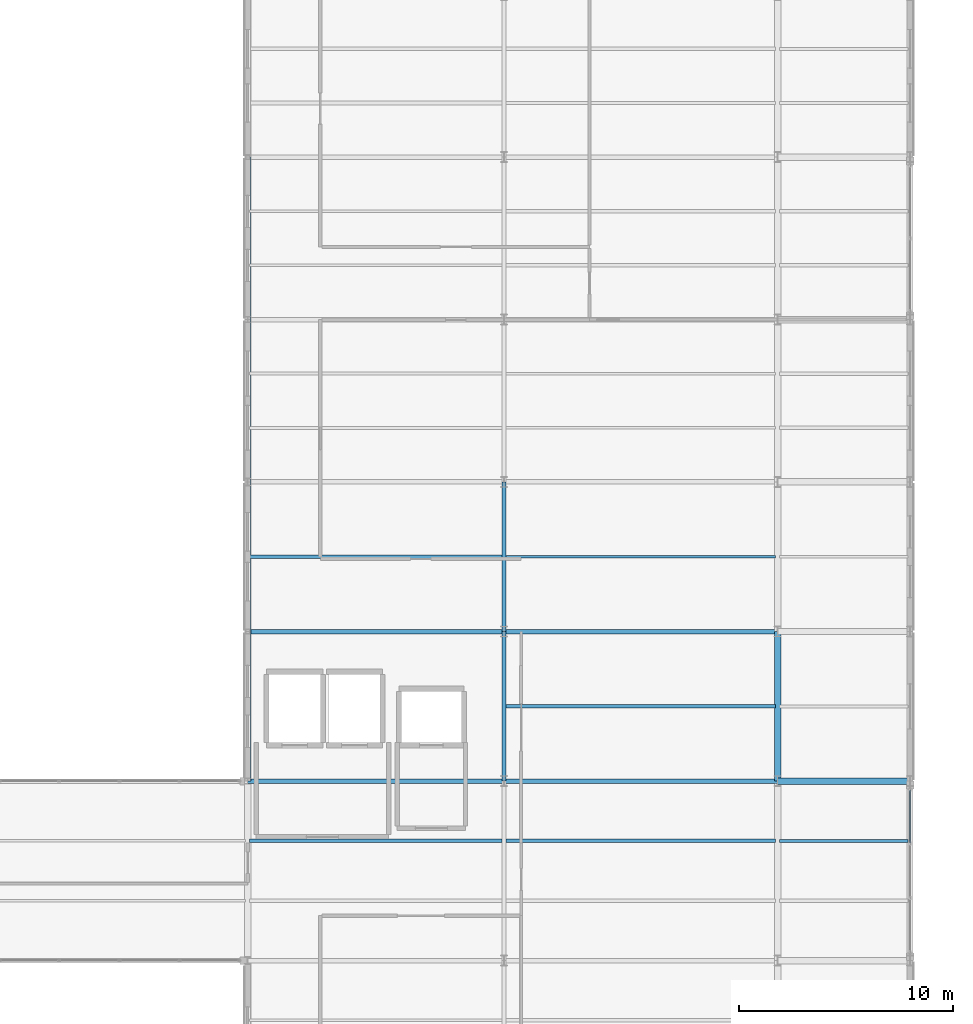
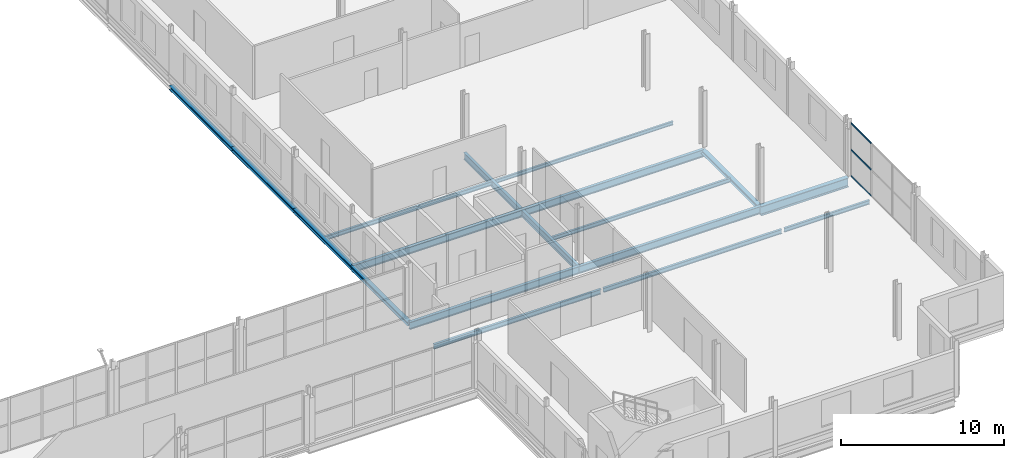
# One storey, part 63 of 101: 18 beams, 3 members, 1 element without a shape of its own.
"""IFC4 building model written with IfcOpenShell, lengths in metres."""

from ifc_helpers import new_model, si_unit, direction, frame, origin, origin_2d, place, context, subcontext, project, spatial, hollow_rectangle, i_section, extrude, material, layer, layer_set, material_profile, profile_set, type_object, element, aggregate, save


model = new_model("IFC4")

# Units and contexts
model_context = context("Model", 3, precision=1e-05, world=origin(), true_north=direction((0.0, 1.0)))
body_context = subcontext(model_context, "Body", "Model", "MODEL_VIEW")
ifc_project = project(units=[si_unit("LENGTHUNIT", "METRE"), si_unit("AREAUNIT", "SQUARE_METRE"), si_unit("VOLUMEUNIT", "CUBIC_METRE"), si_unit("PLANEANGLEUNIT", "RADIAN"), si_unit("MASSUNIT", "GRAM", prefix="KILO")], contexts=[model_context])

# Site, building, storey
site_placement = place(None, origin())
site = spatial("IfcSite", under=ifc_project, at=site_placement, CompositionType="ELEMENT")
building_placement = place(site_placement, origin())
building = spatial("IfcBuilding", under=site, at=building_placement, Name="Vekula Escarpment Museum", CompositionType="ELEMENT")
storey_placement = place(building_placement, frame((0.0, 0.0, 18.0)))
storey = spatial("IfcBuildingStorey", under=building, at=storey_placement, Name="L04", CompositionType="ELEMENT", Elevation=18.0)

# Beams
ifc_material_1 = material(Name="Steel S355", Category="steel")
ifc_material_profile_1 = material_profile(ifc_material_1, i_section(OverallWidth=0.300048828125, OverallDepth=0.699951171875, WebThickness=0.01708984375, FlangeThickness=0.031982421875, FilletRadius=0.027099609375, at=origin_2d()), Name="HEB 700")
ifc_profile_set_1 = profile_set([ifc_material_profile_1], Name="Steel S355")
beam_type_1 = type_object("IfcBeamType", Name="BM-GIRD-HEB700", PredefinedType="BEAM", material=ifc_profile_set_1)
beam_1_placement = place(storey_placement, frame((191.800048828125, 76.39990234375, -0.6298828125), z_axis=(1.0, 0.0, 0.0), x_axis=(0.0, 1.0, 0.0)))
element("IfcBeam", 1, at=beam_1_placement, inside=storey, type_object=beam_type_1, Name="Beam X L04 1762", PredefinedType="BEAM", context=body_context, shape_type="SweptSolid", body=[
    extrude(i_section(OverallWidth=0.300048828125, OverallDepth=0.699951171875, WebThickness=0.01708984375, FlangeThickness=0.031982421875, FilletRadius=0.027099609375, at=origin_2d()), origin(), (0.0, 0.0, 1.0), 6.199951171875),
])
ifc_material_2 = material(Name="Steel S355", Category="steel")
ifc_material_profile_2 = material_profile(ifc_material_2, i_section(OverallWidth=0.199951171875, OverallDepth=0.5, WebThickness=0.01025390625, FlangeThickness=0.01611328125, FilletRadius=0.02099609375, at=origin_2d()), Name="IPE 500")
ifc_profile_set_2 = profile_set([ifc_material_profile_2], Name="Steel S355")
beam_type_2 = type_object("IfcBeamType", Name="BM-GIRD-IPE500", PredefinedType="BEAM", material=ifc_profile_set_2)
for number, where, z_axis, x_axis, name in (
    (2, (179.0, 76.39990234375, -0.530029296875), (0.0, 1.0, 0.0), (-1.0, 0.0, 0.0), "Beam Y L04 1933"),
    (3, (179.0, 83.39990234375, -0.530029296875), (0.0, 1.0, 0.0), (-1.0, 0.0, 0.0), "Beam Y L04 1934"),
):
    element("IfcBeam", number, at=place(storey_placement, frame(where, z_axis=z_axis, x_axis=x_axis)), inside=storey, type_object=beam_type_2, Name=name, PredefinedType="BEAM", context=body_context, shape_type="SweptSolid", body=[
        extrude(i_section(OverallWidth=0.199951171875, OverallDepth=0.5, WebThickness=0.01025390625, FlangeThickness=0.01611328125, FilletRadius=0.02099609375, at=origin_2d()), origin(), (0.0, 0.0, 1.0), 7.0),
    ])
ifc_material_3 = material(Name="Steel S355", Category="steel")
ifc_material_profile_3 = material_profile(ifc_material_3, i_section(OverallWidth=0.2099609375, OverallDepth=0.550048828125, WebThickness=0.010986328125, FlangeThickness=0.01708984375, FilletRadius=0.02392578125, at=origin_2d()), Name="IPE 550")
ifc_profile_set_3 = profile_set([ifc_material_profile_3], Name="Steel S355")
beam_type_3 = type_object("IfcBeamType", Name="BM-GIRD-IPE550", PredefinedType="BEAM", material=ifc_profile_set_3)
beam_2_placement = place(storey_placement, frame((167.0, 76.39990234375, -0.554931640625), z_axis=(1.0, 0.0, 0.0), x_axis=(0.0, 1.0, 0.0)))
element("IfcBeam", 4, at=beam_2_placement, inside=storey, type_object=beam_type_3, Name="Beam X L04 1760", PredefinedType="BEAM", context=body_context, shape_type="SweptSolid", body=[
    extrude(i_section(OverallWidth=0.2099609375, OverallDepth=0.550048828125, WebThickness=0.010986328125, FlangeThickness=0.01708984375, FilletRadius=0.02392578125, at=origin_2d()), origin(), (0.0, 0.0, 1.0), 12.0),
])
beam_3_placement = place(storey_placement, frame((179.0, 76.39990234375, -0.554931640625), z_axis=(1.0, 0.0, 0.0), x_axis=(0.0, 1.0, 0.0)))
element("IfcBeam", 5, at=beam_3_placement, inside=storey, type_object=beam_type_3, Name="Beam X L04 1761", PredefinedType="BEAM", context=body_context, shape_type="SweptSolid", body=[
    extrude(i_section(OverallWidth=0.2099609375, OverallDepth=0.550048828125, WebThickness=0.010986328125, FlangeThickness=0.01708984375, FilletRadius=0.02392578125, at=origin_2d()), origin(), (0.0, 0.0, 1.0), 12.800048828125),
])
beam_4_placement = place(storey_placement, frame((167.0, 83.39990234375, -0.554931640625), z_axis=(1.0, 0.0, 0.0), x_axis=(0.0, 1.0, 0.0)))
element("IfcBeam", 6, at=beam_4_placement, inside=storey, type_object=beam_type_3, Name="Beam X L04 1778", PredefinedType="BEAM", context=body_context, shape_type="SweptSolid", body=[
    extrude(i_section(OverallWidth=0.2099609375, OverallDepth=0.550048828125, WebThickness=0.010986328125, FlangeThickness=0.01708984375, FilletRadius=0.02392578125, at=origin_2d()), origin(), (0.0, 0.0, 1.0), 12.0),
])
beam_5_placement = place(storey_placement, frame((179.0, 83.39990234375, -0.554931640625), z_axis=(1.0, 0.0, 0.0), x_axis=(0.0, 1.0, 0.0)))
element("IfcBeam", 7, at=beam_5_placement, inside=storey, type_object=beam_type_3, Name="Beam X L04 1779", PredefinedType="BEAM", context=body_context, shape_type="SweptSolid", body=[
    extrude(i_section(OverallWidth=0.2099609375, OverallDepth=0.550048828125, WebThickness=0.010986328125, FlangeThickness=0.01708984375, FilletRadius=0.02392578125, at=origin_2d()), origin(), (0.0, 0.0, 1.0), 12.800048828125),
])
ifc_material_4 = material(Name="Steel S355", Category="steel")
ifc_material_profile_4 = material_profile(ifc_material_4, i_section(OverallWidth=0.135009765625, OverallDepth=0.27001953125, WebThickness=0.006591796875, FlangeThickness=0.01025390625, FilletRadius=0.014892578125, at=origin_2d()), Name="IPE 270")
ifc_profile_set_4 = profile_set([ifc_material_profile_4], Name="Steel S355")
beam_type_4 = type_object("IfcBeamType", Name="BM-JST-IPE270", PredefinedType="JOIST", material=ifc_profile_set_4)
beam_6_placement = place(storey_placement, frame((179.090087890625, 86.89990234375, -0.4150390625), z_axis=(1.0, 0.0, 0.0), x_axis=(0.0, 1.0, 0.0)))
element("IfcBeam", 8, at=beam_6_placement, inside=storey, type_object=beam_type_4, Name="Secondary Joist L04 1265", PredefinedType="JOIST", context=body_context, shape_type="SweptSolid", body=[
    extrude(i_section(OverallWidth=0.135009765625, OverallDepth=0.27001953125, WebThickness=0.006591796875, FlangeThickness=0.01025390625, FilletRadius=0.014892578125, at=origin_2d()), origin(), (0.0, 0.0, 1.0), 12.619873046875),
])
ifc_material_5 = material(Name="Steel S355", Category="steel")
ifc_material_profile_5 = material_profile(ifc_material_5, i_section(OverallWidth=0.14990234375, OverallDepth=0.300048828125, WebThickness=0.007080078125, FlangeThickness=0.0107421875, FilletRadius=0.014892578125, at=origin_2d()), Name="IPE 300")
ifc_profile_set_5 = profile_set([ifc_material_profile_5], Name="Steel S355")
beam_type_5 = type_object("IfcBeamType", Name="BM-JST-IPE300", PredefinedType="JOIST", material=ifc_profile_set_5)
beam_7_placement = place(storey_placement, frame((167.090087890625, 86.89990234375, -0.429931640625), z_axis=(1.0, 0.0, 0.0), x_axis=(0.0, 1.0, 0.0)))
element("IfcBeam", 9, at=beam_7_placement, inside=storey, type_object=beam_type_5, Name="Secondary Joist L04 1250", PredefinedType="JOIST", context=body_context, shape_type="SweptSolid", body=[
    extrude(i_section(OverallWidth=0.14990234375, OverallDepth=0.300048828125, WebThickness=0.007080078125, FlangeThickness=0.0107421875, FilletRadius=0.014892578125, at=origin_2d()), origin(), (0.0, 0.0, 1.0), 11.81982421875),
])
beam_8_placement = place(storey_placement, frame((179.090087890625, 79.89990234375, -0.429931640625), z_axis=(1.0, 0.0, 0.0), x_axis=(0.0, 1.0, 0.0)))
element("IfcBeam", 10, at=beam_8_placement, inside=storey, type_object=beam_type_5, Name="Secondary Joist L04 1264", PredefinedType="JOIST", context=body_context, shape_type="SweptSolid", body=[
    extrude(i_section(OverallWidth=0.14990234375, OverallDepth=0.300048828125, WebThickness=0.007080078125, FlangeThickness=0.0107421875, FilletRadius=0.014892578125, at=origin_2d()), origin(), (0.0, 0.0, 1.0), 12.619873046875),
])
beam_9_placement = place(storey_placement, frame((191.889892578125, 73.60009765625, -0.429931640625), z_axis=(1.0, 0.0, 0.0), x_axis=(0.0, 1.0, 0.0)))
element("IfcBeam", 11, at=beam_9_placement, inside=storey, type_object=beam_type_5, Name="Secondary Joist L04 1279", PredefinedType="JOIST", context=body_context, shape_type="SweptSolid", body=[
    extrude(i_section(OverallWidth=0.14990234375, OverallDepth=0.300048828125, WebThickness=0.007080078125, FlangeThickness=0.0107421875, FilletRadius=0.014892578125, at=origin_2d()), origin(), (0.0, 0.0, 1.0), 6.02001953125),
])
ifc_material_6 = material(Name="Steel S355", Category="steel")
ifc_material_profile_6 = material_profile(ifc_material_6, i_section(OverallWidth=0.159912109375, OverallDepth=0.330078125, WebThickness=0.007568359375, FlangeThickness=0.011474609375, FilletRadius=0.01806640625, at=origin_2d()), Name="IPE 330")
ifc_profile_set_6 = profile_set([ifc_material_profile_6], Name="Steel S355")
beam_type_6 = type_object("IfcBeamType", Name="BM-JST-IPE330", PredefinedType="JOIST", material=ifc_profile_set_6)
beam_10_placement = place(storey_placement, frame((179.090087890625, 73.60009765625, -0.445068359375), z_axis=(1.0, 0.0, 0.0), x_axis=(0.0, 1.0, 0.0)))
element("IfcBeam", 12, at=beam_10_placement, inside=storey, type_object=beam_type_6, Name="Secondary Joist L04 1263", PredefinedType="JOIST", context=body_context, shape_type="SweptSolid", body=[
    extrude(i_section(OverallWidth=0.159912109375, OverallDepth=0.330078125, WebThickness=0.007568359375, FlangeThickness=0.011474609375, FilletRadius=0.01806640625, at=origin_2d()), origin(), (0.0, 0.0, 1.0), 12.619873046875),
])
ifc_material_7 = material(Name="Steel S355", Category="steel")
ifc_material_profile_7 = material_profile(ifc_material_7, i_section(OverallWidth=0.169921875, OverallDepth=0.360107421875, WebThickness=0.008056640625, FlangeThickness=0.0126953125, FilletRadius=0.01806640625, at=origin_2d()), Name="IPE 360")
ifc_profile_set_7 = profile_set([ifc_material_profile_7], Name="Steel S355")
beam_type_7 = type_object("IfcBeamType", Name="BM-JST-IPE360", PredefinedType="JOIST", material=ifc_profile_set_7)
beam_11_placement = place(storey_placement, frame((167.090087890625, 73.60009765625, -0.4599609375), z_axis=(1.0, 0.0, 0.0), x_axis=(0.0, 1.0, 0.0)))
element("IfcBeam", 13, at=beam_11_placement, inside=storey, type_object=beam_type_7, Name="Secondary Joist L04 1249", PredefinedType="JOIST", context=body_context, shape_type="SweptSolid", body=[
    extrude(i_section(OverallWidth=0.169921875, OverallDepth=0.360107421875, WebThickness=0.008056640625, FlangeThickness=0.0126953125, FilletRadius=0.01806640625, at=origin_2d()), origin(), (0.0, 0.0, 1.0), 11.81982421875),
])
ifc_material_8 = material(Name="Steel S355", Category="steel")
ifc_material_profile_8 = material_profile(ifc_material_8, i_section(OverallWidth=0.300048828125, OverallDepth=0.2900390625, WebThickness=0.008544921875, FlangeThickness=0.013916015625, FilletRadius=0.027099609375, at=origin_2d()), Name="HEA 300")
ifc_profile_set_8 = profile_set([ifc_material_profile_8], Name="Steel S355")
beam_type_8 = type_object("IfcBeamType", Name="BM-SPAN-HEA300", PredefinedType="SPANDREL", material=ifc_profile_set_8)
for number, where, z_axis, x_axis, name in (
    (14, (167.0, 76.39990234375, -0.425048828125), (0.0, 1.0, 0.0), (-1.0, 0.0, 0.0), "Beam Y L04 1923"),
    (15, (167.0, 83.39990234375, -0.425048828125), (0.0, 1.0, 0.0), (-1.0, 0.0, 0.0), "Beam Y L04 1924"),
):
    element("IfcBeam", number, at=place(storey_placement, frame(where, z_axis=z_axis, x_axis=x_axis)), inside=storey, type_object=beam_type_8, Name=name, PredefinedType="SPANDREL", context=body_context, shape_type="SweptSolid", body=[
        extrude(i_section(OverallWidth=0.300048828125, OverallDepth=0.2900390625, WebThickness=0.008544921875, FlangeThickness=0.013916015625, FilletRadius=0.027099609375, at=origin_2d()), origin(), (0.0, 0.0, 1.0), 7.0),
    ])
for number, where, z_axis, x_axis, name in (
    (16, (167.0, 90.39990234375, -0.425048828125), (0.0, 1.0, 0.0), (-1.0, 0.0, 0.0), "Beam Y L04 1925"),
    (17, (167.0, 98.0, -0.425048828125), (0.0, 1.0, 0.0), (-1.0, 0.0, 0.0), "Beam Y L04 1926"),
):
    element("IfcBeam", number, at=place(storey_placement, frame(where, z_axis=z_axis, x_axis=x_axis)), inside=storey, type_object=beam_type_8, Name=name, PredefinedType="SPANDREL", context=body_context, shape_type="SweptSolid", body=[
        extrude(i_section(OverallWidth=0.300048828125, OverallDepth=0.2900390625, WebThickness=0.008544921875, FlangeThickness=0.013916015625, FilletRadius=0.027099609375, at=origin_2d()), origin(), (0.0, 0.0, 1.0), 7.60009765625),
    ])
beam_12_placement = place(storey_placement, frame((191.800048828125, 76.39990234375, -0.425048828125), z_axis=(0.0, 1.0, 0.0), x_axis=(-1.0, 0.0, 0.0)))
element("IfcBeam", 18, at=beam_12_placement, inside=storey, type_object=beam_type_8, Name="Beam Y L04 1943", PredefinedType="SPANDREL", context=body_context, shape_type="SweptSolid", body=[
    extrude(i_section(OverallWidth=0.300048828125, OverallDepth=0.2900390625, WebThickness=0.008544921875, FlangeThickness=0.013916015625, FilletRadius=0.027099609375, at=origin_2d()), origin(), (0.0, 0.0, 1.0), 7.0),
])

# Curtain wall, members
ifc_material_9 = material(Name="Aluminium thermally broken framing", Category="aluminium")
ifc_layer = layer(ifc_material_9, 0.139892578125)
ifc_layer_set = layer_set([ifc_layer], Name="Aluminium thermally broken framing")
curtain_wall_type = type_object("IfcCurtainWallType", Name="CW-SYS-06", PredefinedType="NOTDEFINED", material=ifc_layer_set)
curtain_wall_placement = place(storey_placement, origin())
curtain_wall = element("IfcCurtainWall", 19, at=curtain_wall_placement, inside=storey, type_object=curtain_wall_type, Name="Curtain Wall CW-L04-146", PredefinedType="NOTDEFINED")
ifc_material_10 = material(Name="Aluminium anodized transom", Category="aluminium")
ifc_material_profile_9 = material_profile(ifc_material_10, hollow_rectangle(XDim=0.06005859375, YDim=0.1201171875, WallThickness=0.00390625, InnerFilletRadius=0.00390625, OuterFilletRadius=0.008056640625, at=origin_2d()), Name="ALU 120x60x4")
ifc_profile_set_9 = profile_set([ifc_material_profile_9], Name="Aluminium anodized transom")
member_type = type_object("IfcMemberType", Name="CW-TRN-120", PredefinedType="USERDEFINED", material=ifc_profile_set_9)
member_1_placement = place(storey_placement, frame((198.0, 73.510009765625, 0.030029296875), z_axis=(0.0, 1.0, 0.0), x_axis=(-1.0, 0.0, 0.0)))
member_1 = element("IfcMember", 20, at=member_1_placement, type_object=member_type, Name="CW-06 transom 3.1", ObjectType="TRANSOM", PredefinedType="USERDEFINED", context=body_context, shape_type="SweptSolid", body=[
    extrude(hollow_rectangle(XDim=0.06005859375, YDim=0.1201171875, WallThickness=0.00390625, InnerFilletRadius=0.00390625, OuterFilletRadius=0.008056640625, at=origin_2d()), origin(), (0.0, 0.0, 1.0), 2.469970703125),
])
member_2_placement = place(storey_placement, frame((198.0, 73.510009765625, 1.989990234375), z_axis=(0.0, 1.0, 0.0), x_axis=(-1.0, 0.0, 0.0)))
member_2 = element("IfcMember", 21, at=member_2_placement, type_object=member_type, Name="CW-06 transom 3.2", ObjectType="TRANSOM", PredefinedType="USERDEFINED", context=body_context, shape_type="SweptSolid", body=[
    extrude(hollow_rectangle(XDim=0.06005859375, YDim=0.1201171875, WallThickness=0.00390625, InnerFilletRadius=0.00390625, OuterFilletRadius=0.008056640625, at=origin_2d()), origin(), (0.0, 0.0, 1.0), 2.469970703125),
])
member_3_placement = place(storey_placement, frame((198.0, 73.510009765625, 3.949951171875), z_axis=(0.0, 1.0, 0.0), x_axis=(-1.0, 0.0, 0.0)))
member_3 = element("IfcMember", 22, at=member_3_placement, type_object=member_type, Name="CW-06 transom 3.3", ObjectType="TRANSOM", PredefinedType="USERDEFINED", context=body_context, shape_type="SweptSolid", body=[
    extrude(hollow_rectangle(XDim=0.06005859375, YDim=0.1201171875, WallThickness=0.00390625, InnerFilletRadius=0.00390625, OuterFilletRadius=0.008056640625, at=origin_2d()), origin(), (0.0, 0.0, 1.0), 2.469970703125),
])
aggregate(curtain_wall, [member_1, member_2, member_3])

save(model, "model.ifc")
